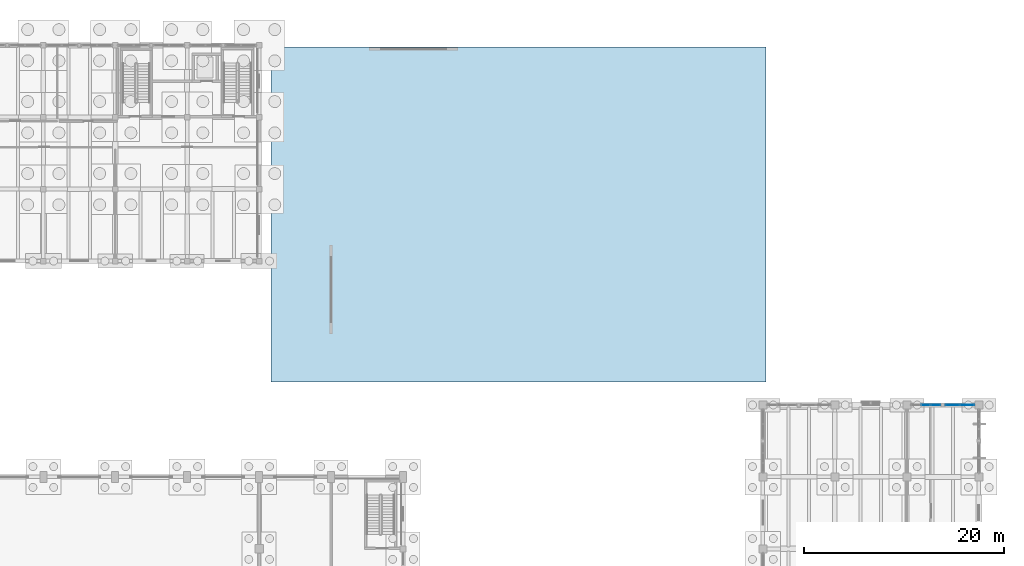
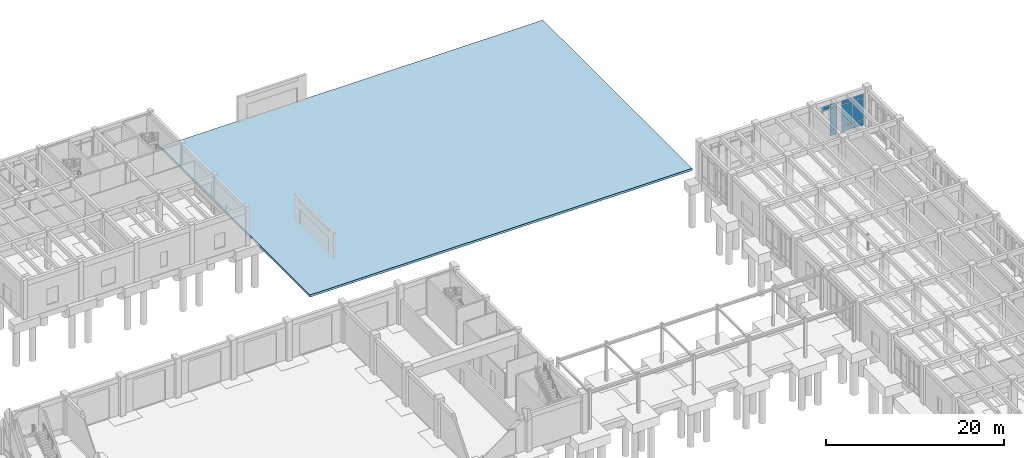
# One storey, part 61 of 93: 10 plates, 1 slab, 2 elements without a shape of their own.
"""IFC4 building model written with IfcOpenShell, lengths in metres."""

from ifc_helpers import new_model, si_unit, direction, frame, origin, origin_2d, place, context, subcontext, project, spatial, polyline, rectangle, outline, extrude, material, layer, layer_set, type_object, element, aggregate, save


model = new_model("IFC4")

# Units and contexts
model_context = context("Model", 3, precision=1e-05, world=origin(), true_north=direction((0.0, 1.0)))
body_context = subcontext(model_context, "Body", "Model", "MODEL_VIEW")
ifc_project = project(units=[si_unit("LENGTHUNIT", "METRE"), si_unit("AREAUNIT", "SQUARE_METRE"), si_unit("VOLUMEUNIT", "CUBIC_METRE"), si_unit("PLANEANGLEUNIT", "RADIAN"), si_unit("MASSUNIT", "GRAM", prefix="KILO")], contexts=[model_context])

# Site, building, storey
site_placement = place(None, origin())
site = spatial("IfcSite", under=ifc_project, at=site_placement, CompositionType="ELEMENT")
building_placement = place(site_placement, origin())
building = spatial("IfcBuilding", under=site, at=building_placement, Name="Koriwan Promenade Central Fire Station", CompositionType="ELEMENT")
storey_placement = place(building_placement, origin())
storey = spatial("IfcBuildingStorey", under=building, at=storey_placement, Name="L00", CompositionType="ELEMENT", Elevation=0.0)

# Slab
ifc_material_1 = material(Name="Concrete C35/45", Category="concrete")
ifc_layer_1 = layer(ifc_material_1, 0.300048828125, Name="Concrete C35/45")
ifc_layer_set_1 = layer_set([ifc_layer_1], Name="Concrete C35/45")
slab_type = type_object("IfcSlabType", Name="BaseSlab_300", PredefinedType="BASESLAB", material=ifc_layer_set_1)
slab_placement = place(storey_placement, frame((0.0, 0.0, -0.300048828125)))
element("IfcSlab", 1, at=slab_placement, inside=storey, type_object=slab_type, Name="Surface car park concrete apron slab", PredefinedType="BASESLAB", context=body_context, shape_type="SweptSolid", body=[
    extrude(outline(polyline([(102.0, 81.5), (151.5, 81.5), (151.5, 115.0), (102.0, 115.0), (102.0, 81.5)])), origin(), (0.0, 0.0, 1.0), 0.300048828125),
])

# Curtain wall, plates
ifc_material_2 = material(Name="Aluminium EN AW-6063-T6 and low-E glazing", Category="aluminium")
ifc_layer_2 = layer(ifc_material_2, 0.159912109375, Name="Aluminium EN AW-6063-T6 and low-E glazing")
ifc_layer_set_2 = layer_set([ifc_layer_2], Name="Aluminium EN AW-6063-T6 and low-E glazing")
curtain_wall_type_1 = type_object("IfcCurtainWallType", Name="CurtainWall_55_300x445", PredefinedType="USERDEFINED", material=ifc_layer_set_2)
curtain_wall_1_placement = place(storey_placement, origin())
curtain_wall_1 = element("IfcCurtainWall", 2, at=curtain_wall_1_placement, inside=storey, type_object=curtain_wall_type_1, Name="V5 L00 unitised curtain wall 147", ObjectType="UNITISED CURTAIN WALL", PredefinedType="USERDEFINED")
ifc_material_3 = material(Name="Blast-resistant laminated safety glazing", Category="glass")
ifc_layer_3 = layer(ifc_material_3, 0.035888671875, Name="Blast-resistant laminated safety glazing")
ifc_layer_set_3 = layer_set([ifc_layer_3], Name="Blast-resistant laminated safety glazing")
plate_type = type_object("IfcPlateType", Name="CWPanel_36", PredefinedType="CURTAIN_PANEL", material=ifc_layer_set_3)
plate_1_placement = place(storey_placement, frame((167.5, 79.199951171875, 3.83251953125), z_axis=(0.0, 0.0, 1.0), x_axis=(1.0, 0.0, 0.0)))
plate_1 = element("IfcPlate", 3, at=plate_1_placement, type_object=plate_type, Name="CW-55 panel 2.3", PredefinedType="CURTAIN_PANEL", context=body_context, shape_type="SweptSolid", body=[
    extrude(rectangle(XDim=0.93505859375, YDim=0.035888671875, at=origin_2d()), origin(), (0.0, 0.0, 1.0), 0.552490234375),
])
plate_2_placement = place(storey_placement, frame((168.483642578125, 79.199951171875, 0.06494140625), z_axis=(0.0, 0.0, 1.0), x_axis=(1.0, 0.0, 0.0)))
plate_2 = element("IfcPlate", 4, at=plate_2_placement, type_object=plate_type, Name="CW-55 panel 3.1", PredefinedType="CURTAIN_PANEL", context=body_context, shape_type="SweptSolid", body=[
    extrude(rectangle(XDim=0.902587890625, YDim=0.035888671875, at=origin_2d()), origin(), (0.0, 0.0, 1.0), 0.75244140625),
])
plate_3_placement = place(storey_placement, frame((168.483642578125, 79.199951171875, 0.88232421875), z_axis=(0.0, 0.0, 1.0), x_axis=(1.0, 0.0, 0.0)))
plate_3 = element("IfcPlate", 5, at=plate_3_placement, type_object=plate_type, Name="CW-55 panel 3.2", PredefinedType="CURTAIN_PANEL", context=body_context, shape_type="SweptSolid", body=[
    extrude(rectangle(XDim=0.902587890625, YDim=0.035888671875, at=origin_2d()), origin(), (0.0, 0.0, 1.0), 2.885009765625),
])
plate_4_placement = place(storey_placement, frame((168.483642578125, 79.199951171875, 3.83251953125), z_axis=(0.0, 0.0, 1.0), x_axis=(1.0, 0.0, 0.0)))
plate_4 = element("IfcPlate", 6, at=plate_4_placement, type_object=plate_type, Name="CW-55 panel 3.3", PredefinedType="CURTAIN_PANEL", context=body_context, shape_type="SweptSolid", body=[
    extrude(rectangle(XDim=0.902587890625, YDim=0.035888671875, at=origin_2d()), origin(), (0.0, 0.0, 1.0), 0.552490234375),
])
aggregate(curtain_wall_1, [plate_1, plate_2, plate_3, plate_4])

ifc_layer_4 = layer(ifc_material_2, 0.159912109375, Name="Aluminium EN AW-6063-T6 and low-E glazing")
ifc_layer_set_4 = layer_set([ifc_layer_4], Name="Aluminium EN AW-6063-T6 and low-E glazing")
curtain_wall_type_2 = type_object("IfcCurtainWallType", Name="CurtainWall_56_300x445", PredefinedType="USERDEFINED", material=ifc_layer_set_4)
curtain_wall_2_placement = place(storey_placement, origin())
curtain_wall_2 = element("IfcCurtainWall", 7, at=curtain_wall_2_placement, inside=storey, type_object=curtain_wall_type_2, Name="V5 L00 unitised curtain wall 148", ObjectType="UNITISED CURTAIN WALL", PredefinedType="USERDEFINED")
plate_5_placement = place(storey_placement, frame((170.168701171875, 79.199951171875, 0.0751953125), z_axis=(0.0, 0.0, 1.0), x_axis=(1.0, 0.0, 0.0)))
plate_5 = element("IfcPlate", 8, at=plate_5_placement, type_object=plate_type, Name="CW-56 panel 1.1", PredefinedType="CURTAIN_PANEL", context=body_context, shape_type="SweptSolid", body=[
    extrude(rectangle(XDim=1.387451171875, YDim=0.035888671875, at=origin_2d()), origin(), (0.0, 0.0, 1.0), 0.737548828125),
])
plate_6_placement = place(storey_placement, frame((170.168701171875, 79.199951171875, 0.887451171875), z_axis=(0.0, 0.0, 1.0), x_axis=(1.0, 0.0, 0.0)))
plate_6 = element("IfcPlate", 9, at=plate_6_placement, type_object=plate_type, Name="CW-56 panel 1.2", PredefinedType="CURTAIN_PANEL", context=body_context, shape_type="SweptSolid", body=[
    extrude(rectangle(XDim=1.387451171875, YDim=0.035888671875, at=origin_2d()), origin(), (0.0, 0.0, 1.0), 2.875),
])
plate_7_placement = place(storey_placement, frame((170.168701171875, 79.199951171875, 3.83740234375), z_axis=(0.0, 0.0, 1.0), x_axis=(1.0, 0.0, 0.0)))
plate_7 = element("IfcPlate", 10, at=plate_7_placement, type_object=plate_type, Name="CW-56 panel 1.3", PredefinedType="CURTAIN_PANEL", context=body_context, shape_type="SweptSolid", body=[
    extrude(rectangle(XDim=1.387451171875, YDim=0.035888671875, at=origin_2d()), origin(), (0.0, 0.0, 1.0), 0.53759765625),
])
plate_8_placement = place(storey_placement, frame((171.63134765625, 79.199951171875, 0.0751953125), z_axis=(0.0, 0.0, 1.0), x_axis=(1.0, 0.0, 0.0)))
plate_8 = element("IfcPlate", 11, at=plate_8_placement, type_object=plate_type, Name="CW-56 panel 2.1", PredefinedType="CURTAIN_PANEL", context=body_context, shape_type="SweptSolid", body=[
    extrude(rectangle(XDim=1.387451171875, YDim=0.035888671875, at=origin_2d()), origin(), (0.0, 0.0, 1.0), 0.737548828125),
])
plate_9_placement = place(storey_placement, frame((171.63134765625, 79.199951171875, 0.887451171875), z_axis=(0.0, 0.0, 1.0), x_axis=(1.0, 0.0, 0.0)))
plate_9 = element("IfcPlate", 12, at=plate_9_placement, type_object=plate_type, Name="CW-56 panel 2.2", PredefinedType="CURTAIN_PANEL", context=body_context, shape_type="SweptSolid", body=[
    extrude(rectangle(XDim=1.387451171875, YDim=0.035888671875, at=origin_2d()), origin(), (0.0, 0.0, 1.0), 2.875),
])
plate_10_placement = place(storey_placement, frame((171.63134765625, 79.199951171875, 3.83740234375), z_axis=(0.0, 0.0, 1.0), x_axis=(1.0, 0.0, 0.0)))
plate_10 = element("IfcPlate", 13, at=plate_10_placement, type_object=plate_type, Name="CW-56 panel 2.3", PredefinedType="CURTAIN_PANEL", context=body_context, shape_type="SweptSolid", body=[
    extrude(rectangle(XDim=1.387451171875, YDim=0.035888671875, at=origin_2d()), origin(), (0.0, 0.0, 1.0), 0.53759765625),
])
aggregate(curtain_wall_2, [plate_5, plate_6, plate_7, plate_8, plate_9, plate_10])

save(model, "model.ifc")
